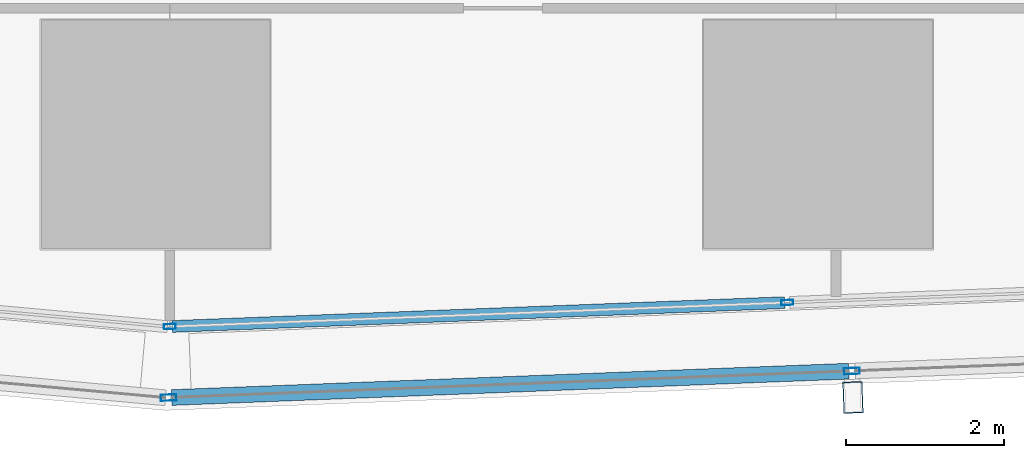
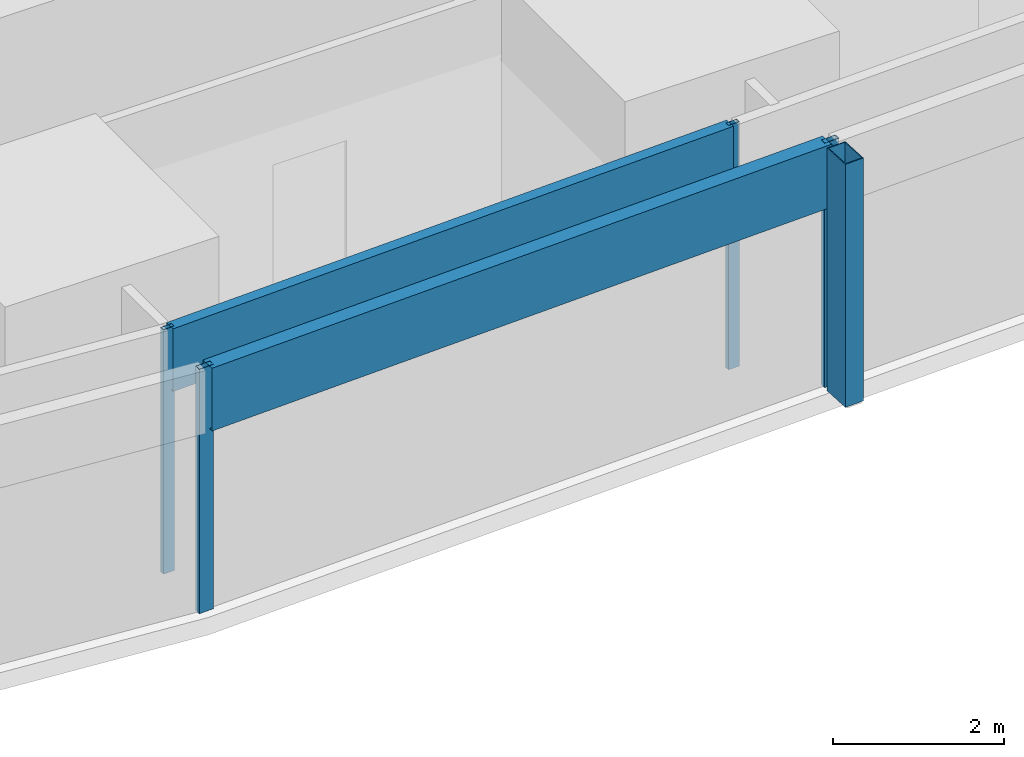
# One storey, part 5 of 40: 7 members, 2 elements without a shape of their own.
"""IFC4 building model written with IfcOpenShell, lengths in metres."""

from ifc_helpers import new_model, si_unit, direction, frame, origin, origin_2d, place, context, subcontext, project, spatial, hollow_rectangle, extrude, material, material_profile, profile_set, type_object, element, aggregate, save


model = new_model("IFC4")

# Units and contexts
model_context = context("Model", 3, precision=1e-05, world=origin(), true_north=direction((0.0, 1.0)))
body_context = subcontext(model_context, "Body", "Model", "MODEL_VIEW")
ifc_project = project(units=[si_unit("LENGTHUNIT", "METRE"), si_unit("AREAUNIT", "SQUARE_METRE"), si_unit("VOLUMEUNIT", "CUBIC_METRE"), si_unit("PLANEANGLEUNIT", "RADIAN"), si_unit("MASSUNIT", "GRAM", prefix="KILO")], contexts=[model_context])

# Site, building, storey
site_placement = place(None, origin())
site = spatial("IfcSite", under=ifc_project, at=site_placement, CompositionType="ELEMENT")
building_placement = place(site_placement, origin())
building = spatial("IfcBuilding", under=site, at=building_placement, Name="Rekha Terrace Tower", CompositionType="ELEMENT")
storey_placement = place(building_placement, frame((0.0, 0.0, 95.300048828125)))
storey = spatial("IfcBuildingStorey", under=building, at=storey_placement, Name="L23", CompositionType="ELEMENT", Elevation=95.300048828125)

# Curtain wall, member
ifc_material_1 = material(Name="Aluminium framing", Category="aluminium")
curtain_wall_type_1 = type_object("IfcCurtainWallType", Name="CW2 double skin outer glazing", PredefinedType="USERDEFINED", material=ifc_material_1)
curtain_wall_1_placement = place(storey_placement, origin())
curtain_wall_1 = element("IfcCurtainWall", 1, at=curtain_wall_1_placement, inside=storey, type_object=curtain_wall_type_1, Name="CW2 double skin outer glazing", ObjectType="DOUBLE SKIN OUTER GLAZING", PredefinedType="USERDEFINED")
ifc_material_2 = material(Name="Steel S355 with fluorocarbon finish", Category="steel")
ifc_material_profile_1 = material_profile(ifc_material_2, hollow_rectangle(XDim=0.25, YDim=0.39990234375, WallThickness=0.012451171875, at=origin_2d()), Name="RHS400x250x12.5")
ifc_profile_set_1 = profile_set([ifc_material_profile_1], Name="Steel S355 with fluorocarbon finish")
member_type_1 = type_object("IfcMemberType", Name="BL1 facade blade RHS 400 x 250", PredefinedType="USERDEFINED", material=ifc_profile_set_1)
member_1_placement = place(storey_placement, frame((34.042236328125, 13.46435546875, 0.02001953125), z_axis=(0.0, 0.0, 1.0), x_axis=(0.999243494356, 0.038890088543, 0.0)))
member_1 = element("IfcMember", 2, at=member_1_placement, type_object=member_type_1, Name="Facade blade", ObjectType="FACADE BLADE", PredefinedType="USERDEFINED", context=body_context, shape_type="SweptSolid", body=[
    extrude(hollow_rectangle(XDim=0.25, YDim=0.39990234375, WallThickness=0.012451171875, at=origin_2d()), origin(), (0.0, 0.0, 1.0), 3.47998046875),
])

# Curtain wall, members
curtain_wall_type_2 = type_object("IfcCurtainWallType", Name="CW1 double skin inner glazing", PredefinedType="USERDEFINED", material=ifc_material_1)
curtain_wall_2_placement = place(storey_placement, origin())
curtain_wall_2 = element("IfcCurtainWall", 3, at=curtain_wall_2_placement, inside=storey, type_object=curtain_wall_type_2, Name="CW1 double skin inner glazing", ObjectType="DOUBLE SKIN INNER GLAZING", PredefinedType="USERDEFINED")
ifc_material_3 = material(Name="Aluminium mullion section", Category="aluminium")
ifc_material_profile_2 = material_profile(ifc_material_3, hollow_rectangle(XDim=0.06494140625, YDim=0.14990234375, WallThickness=0.00390625, at=origin_2d()), Name="AL RHS 65x150")
ifc_profile_set_2 = profile_set([ifc_material_profile_2], Name="Aluminium mullion section")
member_type_2 = type_object("IfcMemberType", Name="CW1 mullion RHS 65 x 150", PredefinedType="MULLION", material=ifc_profile_set_2)
member_2_placement = place(storey_placement, frame((25.3798828125, 14.363037109375, 0.0), z_axis=(0.0, 0.0, 1.0), x_axis=(-0.038889971345, 0.999243498917, 0.0)))
member_2 = element("IfcMember", 4, at=member_2_placement, type_object=member_type_2, Name="CW1 mullion 1", PredefinedType="MULLION", context=body_context, shape_type="SweptSolid", body=[
    extrude(hollow_rectangle(XDim=0.06494140625, YDim=0.14990234375, WallThickness=0.00390625, at=origin_2d()), origin(), (0.0, 0.0, 1.0), 3.5),
])
member_3_placement = place(storey_placement, frame((33.209228515625, 14.667724609375, 0.0), z_axis=(0.0, 0.0, 1.0), x_axis=(-0.038889971345, 0.999243498917, 0.0)))
member_3 = element("IfcMember", 5, at=member_3_placement, type_object=member_type_2, Name="CW1 mullion 2", PredefinedType="MULLION", context=body_context, shape_type="SweptSolid", body=[
    extrude(hollow_rectangle(XDim=0.06494140625, YDim=0.14990234375, WallThickness=0.00390625, at=origin_2d()), origin(), (0.0, 0.0, 1.0), 3.5),
])
ifc_material_4 = material(Name="Insulated aluminium spandrel box", Category="aluminium")
ifc_material_profile_3 = material_profile(ifc_material_4, hollow_rectangle(XDim=0.14990234375, YDim=0.89990234375, WallThickness=0.0029296875, at=origin_2d()), Name="AL SPANDREL BOX 150x900")
ifc_profile_set_3 = profile_set([ifc_material_profile_3], Name="Insulated aluminium spandrel box")
member_type_3 = type_object("IfcMemberType", Name="CW1 spandrel transom 150 x 900", PredefinedType="USERDEFINED", material=ifc_profile_set_3)
member_4_placement = place(storey_placement, frame((25.412353515625, 14.364501953125, 3.050048828125), z_axis=(0.999244419413, 0.038866312826, 0.0), x_axis=(-0.038866312826, 0.999244419413, 0.0)))
member_4 = element("IfcMember", 6, at=member_4_placement, type_object=member_type_3, Name="CW1 spandrel transom 1", ObjectType="TRANSOM", PredefinedType="USERDEFINED", context=body_context, shape_type="SweptSolid", body=[
    extrude(hollow_rectangle(XDim=0.14990234375, YDim=0.89990234375, WallThickness=0.0029296875, at=origin_2d()), origin(), (0.0, 0.0, 1.0), 7.770263671875),
])
aggregate(curtain_wall_2, [member_2, member_3, member_4])

# Member
ifc_material_profile_4 = material_profile(ifc_material_3, hollow_rectangle(XDim=0.080078125, YDim=0.199951171875, WallThickness=0.00390625, at=origin_2d()), Name="AL RHS 80x200")
ifc_profile_set_4 = profile_set([ifc_material_profile_4], Name="Aluminium mullion section")
member_type_4 = type_object("IfcMemberType", Name="CW2 mullion RHS 80 x 200", PredefinedType="MULLION", material=ifc_profile_set_4)
member_5_placement = place(storey_placement, frame((25.364013671875, 13.4619140625, 0.0), z_axis=(0.0, 0.0, 1.0), x_axis=(-0.038889971345, 0.999243498917, 0.0)))
member_5 = element("IfcMember", 7, at=member_5_placement, type_object=member_type_4, Name="CW2 mullion 1", PredefinedType="MULLION", context=body_context, shape_type="SweptSolid", body=[
    extrude(hollow_rectangle(XDim=0.080078125, YDim=0.199951171875, WallThickness=0.00390625, at=origin_2d()), origin(), (0.0, 0.0, 1.0), 3.5),
])

member_6_placement = place(storey_placement, frame((34.029052734375, 13.799072265625, 0.0), z_axis=(0.0, 0.0, 1.0), x_axis=(-0.038889971345, 0.999243498917, 0.0)))
member_6 = element("IfcMember", 8, at=member_6_placement, type_object=member_type_4, Name="CW2 mullion 2", PredefinedType="MULLION", context=body_context, shape_type="SweptSolid", body=[
    extrude(hollow_rectangle(XDim=0.080078125, YDim=0.199951171875, WallThickness=0.00390625, at=origin_2d()), origin(), (0.0, 0.0, 1.0), 3.5),
])

ifc_material_profile_5 = material_profile(ifc_material_4, hollow_rectangle(XDim=0.199951171875, YDim=0.89990234375, WallThickness=0.0029296875, at=origin_2d()), Name="AL SPANDREL BOX 200x900")
ifc_profile_set_5 = profile_set([ifc_material_profile_5], Name="Insulated aluminium spandrel box")
member_type_5 = type_object("IfcMemberType", Name="CW2 spandrel transom 200 x 900", PredefinedType="USERDEFINED", material=ifc_profile_set_5)
member_7_placement = place(storey_placement, frame((25.404052734375, 13.46337890625, 3.050048828125), z_axis=(0.999243058466, 0.038901286707, 0.0), x_axis=(-0.038901286707, 0.999243058466, 0.0)))
member_7 = element("IfcMember", 9, at=member_7_placement, type_object=member_type_5, Name="CW2 spandrel transom 1", ObjectType="TRANSOM", PredefinedType="USERDEFINED", context=body_context, shape_type="SweptSolid", body=[
    extrude(hollow_rectangle(XDim=0.199951171875, YDim=0.89990234375, WallThickness=0.0029296875, at=origin_2d()), origin(), (0.0, 0.0, 1.0), 8.591796875),
])

aggregate(curtain_wall_1, [member_5, member_6, member_7, member_1])

save(model, "model.ifc")
